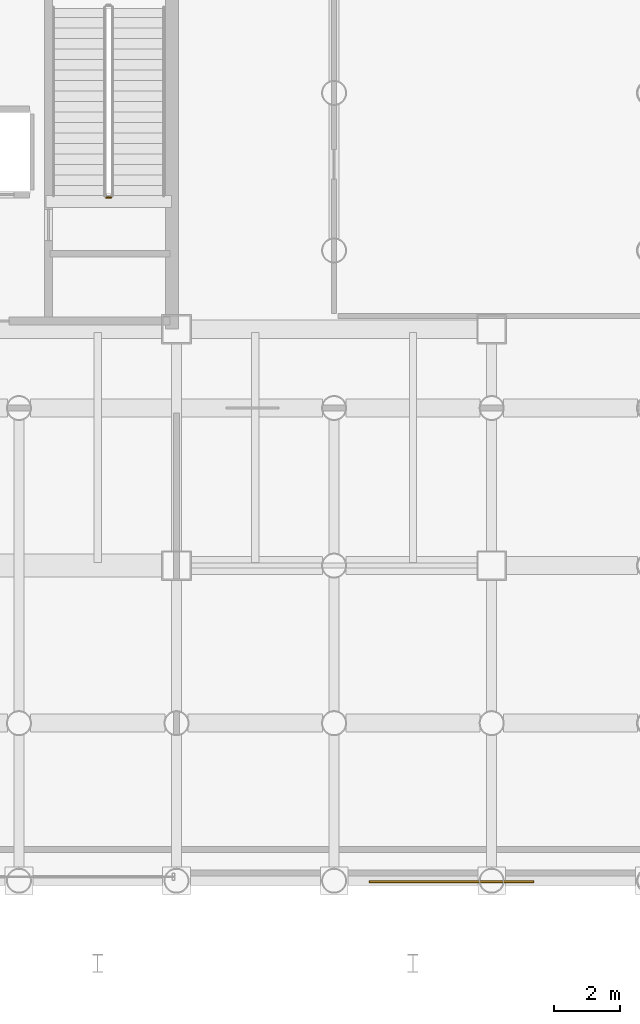
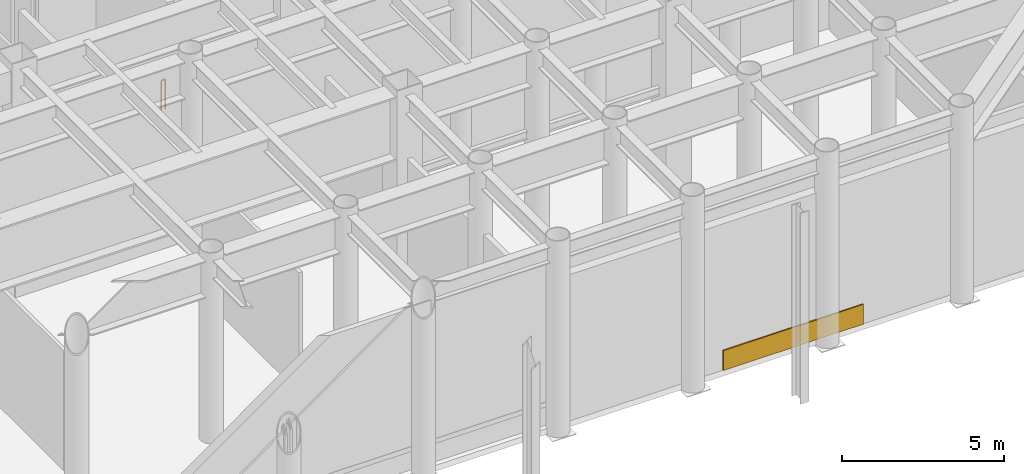
# One storey, part 21 of 23: 1 covering, 1 railing.
"""IFC4 building model written with IfcOpenShell, lengths in metres."""

import ifcopenshell
import ifcopenshell.guid

model = None  # the IFC model being written
_history = None  # IfcOwnerHistory: only IFC2X3 demands one
_inside = {}  # id of a spatial element -> (the spatial element, [elements in it])
_under = {}  # id of a project, library or spatial element -> (it, [spatial elements below it])
_declared = {}  # id of a project -> (the project, [libraries it declares])
_typed = {}  # id of a type object -> (the type object, [elements of that type])
_made_of = {}  # id of a material, layer set ... -> (it, [elements and type objects made of it])


def new_model(schema):
    """Start an empty IFC model of exactly this schema.

    Asked for "IFC4X3", IfcOpenShell would pick the latest addendum, in which some entities
    have other attributes; the version numbers below select the first issue.
    IFC2X3 requires an IfcOwnerHistory on every rooted entity: one is made here for all.
    """
    global model, _history
    if schema == "IFC4X3":
        model = ifcopenshell.file(schema_version=(4, 3, 0, 0))
    else:
        model = ifcopenshell.file(schema=schema)
    _inside.clear()
    _under.clear()
    _declared.clear()
    _typed.clear()
    _made_of.clear()
    _history = None
    if model.schema == "IFC2X3":
        org = make("IfcOrganization", Name="unknown")
        user = make(
            "IfcPersonAndOrganization",
            ThePerson=make("IfcPerson", FamilyName="unknown"),
            TheOrganization=org,
        )
        app = make(
            "IfcApplication",
            ApplicationDeveloper=org,
            Version="unknown",
            ApplicationFullName="unknown",
            ApplicationIdentifier="unknown",
        )
        _history = make(
            "IfcOwnerHistory",
            OwningUser=user,
            OwningApplication=app,
            ChangeAction="ADDED",
            CreationDate=0,
        )
    return model


def make(cls, **values):
    """One entity of the class cls with the attributes given. An attribute that is None is left unset."""
    return model.create_entity(
        cls, **{name: value for name, value in values.items() if value is not None}
    )


def rooted(cls, **values):
    """An entity with a GlobalId (a new one), such as an element, a storey or a relation."""
    return make(cls, GlobalId=ifcopenshell.guid.new(), OwnerHistory=_history, **values)


def si_unit(unit_type, name, prefix=None):
    """IfcSIUnit, for example si_unit("LENGTHUNIT", "METRE", prefix="MILLI")."""
    return make("IfcSIUnit", UnitType=unit_type, Prefix=prefix, Name=name)


def assignment(units):
    """IfcUnitAssignment: the units of a project."""
    return None if units is None else make("IfcUnitAssignment", Units=units)


def point(xyz):
    """IfcCartesianPoint."""
    return None if xyz is None else make("IfcCartesianPoint", Coordinates=xyz)


def direction(xyz):
    """IfcDirection."""
    return None if xyz is None else make("IfcDirection", DirectionRatios=xyz)


def frame(location, z_axis=None, x_axis=None):
    """IfcAxis2Placement3D, a coordinate frame: its origin and axes. An axis left out is left unset."""
    return make(
        "IfcAxis2Placement3D",
        Location=point(location),
        Axis=direction(z_axis),
        RefDirection=direction(x_axis),
    )


def frame_2d(location, x_axis=None):
    """IfcAxis2Placement2D, a coordinate frame in the plane: its origin and x axis."""
    return make(
        "IfcAxis2Placement2D", Location=point(location), RefDirection=direction(x_axis)
    )


def origin():
    """The frame at (0, 0, 0) with its axes left unset."""
    return frame((0.0, 0.0, 0.0))


def origin_2d():
    """The frame at (0, 0) in the plane with its x axis left unset."""
    return frame_2d((0.0, 0.0))


def place(relative_to, where):
    """IfcLocalPlacement: puts the frame where relative to a parent placement (None: the world)."""
    return make(
        "IfcLocalPlacement", PlacementRelTo=relative_to, RelativePlacement=where
    )


def context(
    kind, dimensions, precision=None, world=None, true_north=None, identifier=None
):
    """IfcGeometricRepresentationContext, for example the 3D "Model" context."""
    return make(
        "IfcGeometricRepresentationContext",
        ContextIdentifier=identifier,
        ContextType=kind,
        CoordinateSpaceDimension=dimensions,
        Precision=precision,
        WorldCoordinateSystem=world,
        TrueNorth=true_north,
    )


def subcontext(parent, identifier, kind, view, scale=None):
    """IfcGeometricRepresentationSubContext, for example "Body" below "Model"."""
    return make(
        "IfcGeometricRepresentationSubContext",
        ContextIdentifier=identifier,
        ContextType=kind,
        ParentContext=parent,
        TargetScale=scale,
        TargetView=view,
    )


def project(units=None, contexts=None):
    """IfcProject with its units and contexts."""
    return rooted(
        "IfcProject",
        Name="project",
        RepresentationContexts=contexts,
        UnitsInContext=assignment(units),
    )


def spatial(cls, under=None, at=None, **own):
    """A site, building, storey or space (cls), placed at a placement, below another one or the project."""
    s = rooted(cls, ObjectPlacement=at, **own)
    if under is not None:
        _under.setdefault(under.id(), (under, []))[1].append(s)
    return s


def profile(cls, at=None, kind="AREA", **sizes):
    """A parametric profile (cls). Its sizes go by their IFC names, for example OverallWidth=200.0."""
    return make(cls, ProfileType=kind, Position=at, **sizes)


def rectangle(**sizes):
    """IfcRectangleProfileDef."""
    return profile("IfcRectangleProfileDef", **sizes)


def circle(**sizes):
    """IfcCircleProfileDef."""
    return profile("IfcCircleProfileDef", **sizes)


def extrude(swept, where, along, depth):
    """IfcExtrudedAreaSolid: the profile swept, set in the frame where, extruded along a direction by depth."""
    return make(
        "IfcExtrudedAreaSolid",
        SweptArea=swept,
        Position=where,
        ExtrudedDirection=direction(along),
        Depth=depth,
    )


def shape(context_of_items, identifier, shape_type, items):
    """IfcShapeRepresentation: the items that make up one representation, for example the "Body"."""
    return make(
        "IfcShapeRepresentation",
        ContextOfItems=context_of_items,
        RepresentationIdentifier=identifier,
        RepresentationType=shape_type,
        Items=items,
    )


def material(Name=None, Category=None):
    """IfcMaterial."""
    return make("IfcMaterial", Name=Name, Category=Category)


def layer(
    of_material, thickness, ventilated=None, Name=None, Category=None, Priority=None
):
    """IfcMaterialLayer: one layer of a wall or slab, of a material (None: an air gap)."""
    return make(
        "IfcMaterialLayer",
        Material=of_material,
        LayerThickness=thickness,
        IsVentilated=ventilated,
        Name=Name,
        Category=Category,
        Priority=Priority,
    )


def layer_set(layers, Name=None):
    """IfcMaterialLayerSet."""
    return make("IfcMaterialLayerSet", MaterialLayers=layers, LayerSetName=Name)


def made_of(thing, what):
    """Note that an element or type object is made of a material, layer set ...; save() writes the relation."""
    if what is not None:
        _made_of.setdefault(what.id(), (what, []))[1].append(thing)
    return thing


def type_object(cls, material=None, **own):
    """A type object (cls), such as IfcWallType, which elements share."""
    return made_of(rooted(cls, **own), material)


def element(
    cls,
    number,
    at=None,
    inside=None,
    cuts=None,
    type_object=None,
    material=None,
    context=None,
    identifier="Body",
    shape_type=None,
    held_by="IfcProductDefinitionShape",
    body=None,
    shapes=None,
    **own,
):
    """One element of the class cls, such as IfcWall. Its Tag is "e" and its number.

    at: its placement. inside: the storey or other place that contains it. cuts: it is an
    opening in that element (IfcRelVoidsElement). A single representation is given by context,
    identifier, shape_type and body (its items); several are given by shapes. held_by: the class
    of the entity that holds the representations. save() writes the other relations.
    """
    e = rooted(cls, Tag="e%d" % number, ObjectPlacement=at, **own)
    if body is not None:
        shapes = [shape(context, identifier, shape_type, body)]
    if shapes is not None:
        e.Representation = make(held_by, Representations=shapes)
    if inside is not None:
        _inside.setdefault(inside.id(), (inside, []))[1].append(e)
    if cuts is not None:
        rooted(
            "IfcRelVoidsElement", RelatingBuildingElement=cuts, RelatedOpeningElement=e
        )
    if type_object is not None:
        _typed.setdefault(type_object.id(), (type_object, []))[1].append(e)
    return made_of(e, material)


def aggregate(whole, parts):
    """IfcRelAggregates: a whole, such as a stair, and the parts it consists of."""
    return rooted("IfcRelAggregates", RelatingObject=whole, RelatedObjects=parts)


def save(model, path):
    """Write the relations noted so far, then the file.

    IfcRelAggregates (storeys below a building ...), IfcRelContainedInSpatialStructure (elements
    in a storey), IfcRelDefinesByType, IfcRelAssociatesMaterial and IfcRelDeclares: one each for
    every whole, place, type object, material and project.
    """
    for whole, parts in _under.values():
        aggregate(whole, parts)
    for where, things in _inside.values():
        rooted(
            "IfcRelContainedInSpatialStructure",
            RelatedElements=things,
            RelatingStructure=where,
        )
    for kind, things in _typed.values():
        rooted("IfcRelDefinesByType", RelatedObjects=things, RelatingType=kind)
    for what, things in _made_of.values():
        rooted("IfcRelAssociatesMaterial", RelatedObjects=things, RelatingMaterial=what)
    for by, libraries in _declared.values():
        rooted("IfcRelDeclares", RelatingContext=by, RelatedDefinitions=libraries)
    model.write(path)


model = new_model("IFC4")

# Units and contexts
model_context = context("Model", 3, precision=1e-05, world=origin(), true_north=direction((0.0, 1.0)))
body_context = subcontext(model_context, "Body", "Model", "MODEL_VIEW")
ifc_project = project(units=[si_unit("LENGTHUNIT", "METRE"), si_unit("AREAUNIT", "SQUARE_METRE"), si_unit("VOLUMEUNIT", "CUBIC_METRE"), si_unit("PLANEANGLEUNIT", "RADIAN"), si_unit("MASSUNIT", "GRAM", prefix="KILO")], contexts=[model_context])

# Site, building, storey
site_placement = place(None, origin())
site = spatial("IfcSite", under=ifc_project, at=site_placement, CompositionType="ELEMENT")
building_placement = place(site_placement, origin())
building = spatial("IfcBuilding", under=site, at=building_placement, Name="Kallvorn Hotel Tower", CompositionType="ELEMENT")
storey_placement = place(building_placement, frame((0.0, 0.0, 12.0)))
storey = spatial("IfcBuildingStorey", under=building, at=storey_placement, Name="L02", CompositionType="ELEMENT", Elevation=12.0)

# Covering
ifc_material_1 = material(Name="Precast basalt-clad insulated concrete wall C40/50", Category="masonry")
ifc_layer_1 = layer(ifc_material_1, 0.050048828125)
ifc_layer_set_1 = layer_set([ifc_layer_1], Name="COV_CLADDING_STONE")
covering_type = type_object("IfcCoveringType", Name="COV_CLADDING_STONE", PredefinedType="CLADDING", material=ifc_layer_set_1)
covering_placement = place(storey_placement, frame((22.77490234375, -24.030029296875, 0.02490234375), z_axis=(0.0, 0.0, 1.0), x_axis=(1.0, 0.0, 0.0)))
element("IfcCovering", 1, at=covering_placement, inside=storey, type_object=covering_type, Name="L02 Basalt Spandrel Cladding EW-L02-SE", PredefinedType="CLADDING", context=body_context, shape_type="SweptSolid", body=[
    extrude(rectangle(XDim=5.0, YDim=0.050048828125, at=origin_2d()), origin(), (0.0, 0.0, 1.0), 0.75),
])

# Railing
ifc_material_2 = material(Name="Brushed stainless-steel tubular railing", Category="steel")
ifc_layer_2 = layer(ifc_material_2, 0.050048828125)
ifc_layer_set_2 = layer_set([ifc_layer_2], Name="RL_STAIR_GUARD")
railing_type = type_object("IfcRailingType", Name="RL_STAIR_GUARD", PredefinedType="GUARDRAIL", material=ifc_layer_set_2)
railing_placement = place(storey_placement, frame((12.39990234375, -3.18994140625, 0.0)))
element("IfcRailing", 2, at=railing_placement, inside=storey, type_object=railing_type, Name="L02 ST2 stair guard 4", PredefinedType="GUARDRAIL", context=body_context, shape_type="SweptSolid", body=[
    extrude(circle(Radius=0.02392578125, at=origin_2d()), frame((0.0, 0.0, 1.1259765625), z_axis=(-1.0, 0.0, 0.0), x_axis=(0.0, -1.0, 0.0)), (0.0, 0.0, 1.0), 0.139892578125),
    extrude(circle(Radius=0.02099609375, at=origin_2d()), origin(), (0.0, 0.0, 1.0), 1.101806640625),
    extrude(circle(Radius=0.02099609375, at=origin_2d()), frame((-0.139892578125, 0.0, 0.0)), (0.0, 0.0, 1.0), 1.101806640625),
])

save(model, "model.ifc")
